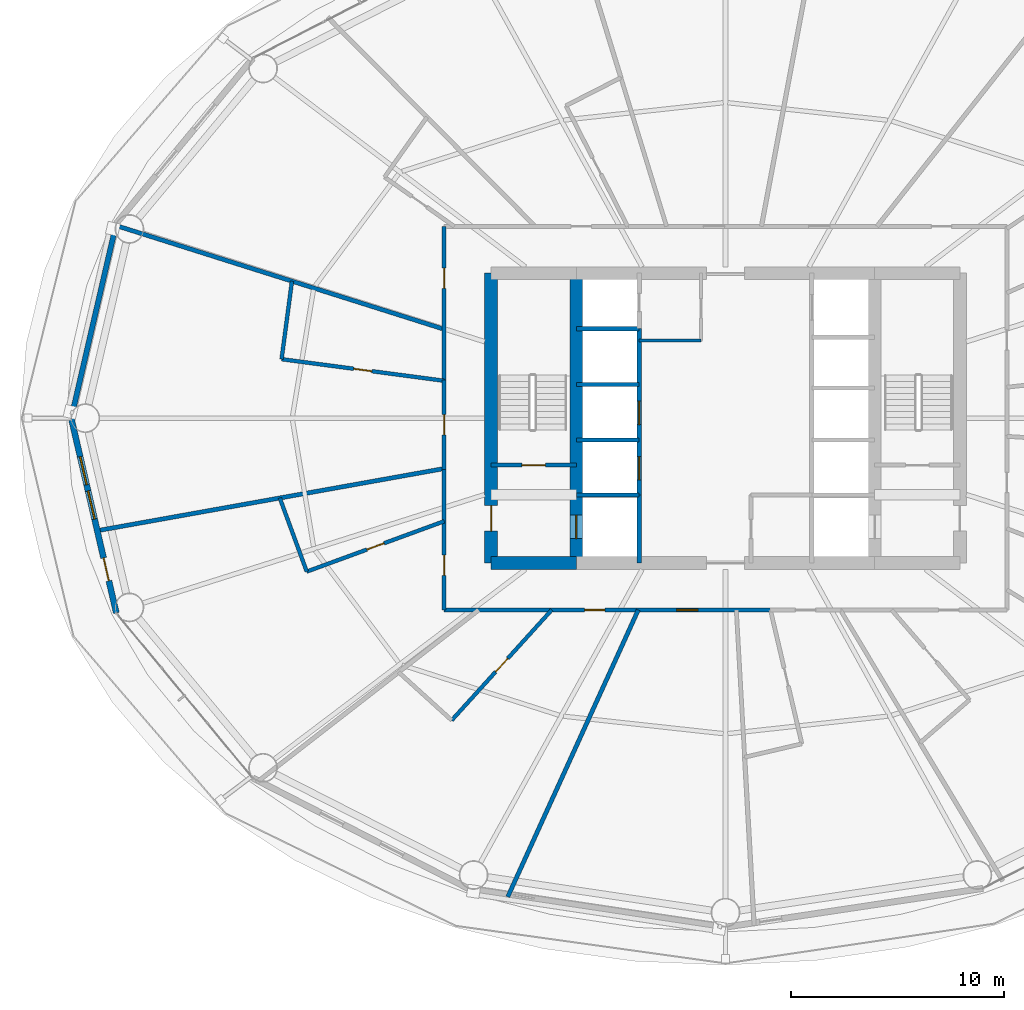
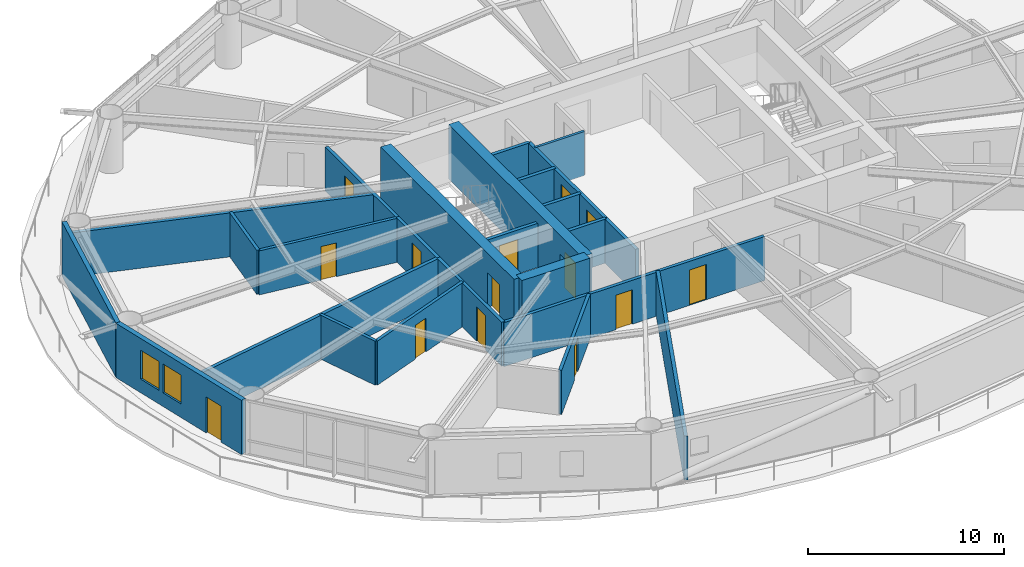
# One storey, part 20 of 26: 25 walls, 14 doors, 2 windows, 16 openings.
"""IFC4 building model written with IfcOpenShell, lengths in metres."""

from ifc_helpers import new_model, si_unit, direction, frame, frame_2d, origin, place, context, subcontext, project, spatial, rectangle, extrude, material, layer, layer_set, type_object, element, fill, save


model = new_model("IFC4")

# Units and contexts
model_context = context("Model", 3, precision=1e-05, world=origin(), true_north=direction((0.0, 1.0)))
body_context = subcontext(model_context, "Body", "Model", "MODEL_VIEW")
ifc_project = project(units=[si_unit("LENGTHUNIT", "METRE"), si_unit("AREAUNIT", "SQUARE_METRE"), si_unit("VOLUMEUNIT", "CUBIC_METRE"), si_unit("PLANEANGLEUNIT", "RADIAN"), si_unit("MASSUNIT", "GRAM", prefix="KILO")], contexts=[model_context])

# Site, building, storey
site_placement = place(None, origin())
site = spatial("IfcSite", under=ifc_project, at=site_placement, CompositionType="ELEMENT")
building_placement = place(site_placement, origin())
building = spatial("IfcBuilding", under=site, at=building_placement, Name="Sarneth Arch Tower", CompositionType="ELEMENT")
storey_placement = place(building_placement, frame((0.0, 0.0, 53.39990234375)))
storey = spatial("IfcBuildingStorey", under=building, at=storey_placement, Name="L12", CompositionType="ELEMENT", Elevation=53.39990234375)

# Wall
ifc_material_1 = material(Name="Concrete C60/75", Category="concrete")
ifc_layer_1 = layer(ifc_material_1, 0.60009765625)
ifc_layer_set_1 = layer_set([ifc_layer_1], Name="Concrete C60/75")
wall_type_1 = type_object("IfcWallType", Name="WALL-CORE-600", PredefinedType="SHEAR", material=ifc_layer_set_1)
wall_1_placement = place(storey_placement, frame((37.0, 35.199951171875, 0.0), z_axis=(0.0, 0.0, 1.0), x_axis=(1.0, 0.0, 0.0)))
element("IfcWall", 1, at=wall_1_placement, inside=storey, type_object=wall_type_1, Name="L12 Core shear wall S-W", PredefinedType="SHEAR", context=body_context, shape_type="SweptSolid", body=[
    extrude(rectangle(XDim=4.0, YDim=0.60009765625, at=frame_2d((2.0, 0.0))), origin(), (0.0, 0.0, 1.0), 3.380126953125),
])

# Wall, opening, door
wall_2_placement = place(storey_placement, frame((37.0, 35.199951171875, 0.0), z_axis=(0.0, 0.0, 1.0), x_axis=(0.0, 1.0, 0.0)))
wall_2 = element("IfcWall", 2, at=wall_2_placement, inside=storey, type_object=wall_type_1, Name="L12 Core shear wall W", PredefinedType="SHEAR", context=body_context, shape_type="SweptSolid", body=[
    extrude(rectangle(XDim=13.60009765625, YDim=0.60009765625, at=frame_2d((6.800048828125, 0.0))), origin(), (0.0, 0.0, 1.0), 3.380126953125),
])
opening_1_placement = place(wall_2_placement, frame((1.5, 0.0, 0.0)))
opening_1 = element("IfcOpeningElement", 3, at=opening_1_placement, cuts=wall_2, Name="Opening FD-02", PredefinedType="OPENING", context=body_context, shape_type="SweptSolid", body=[
    extrude(rectangle(XDim=1.199951171875, YDim=2.14990234375, at=frame_2d((0.60009765625, 1.074951171875))), frame((0.0, 0.31005859375, 0.0), z_axis=(0.0, -1.0, 0.0), x_axis=(1.0, 0.0, 0.0)), (0.0, 0.0, 1.0), 0.6201171875),
])
ifc_material_2 = material(Name="Galvanised Steel S275 fire door set", Category="steel")
door_type_1 = type_object("IfcDoorType", Name="DR-FD90-1200", OperationType="SINGLE_SWING_LEFT", PredefinedType="DOOR", material=ifc_material_2)
door_1_placement = place(opening_1_placement, origin())
door_1 = element("IfcDoor", 4, at=door_1_placement, inside=storey, type_object=door_type_1, Name="L12 Firefighting lobby 1 exit door", OperationType="SINGLE_SWING_LEFT", OverallHeight=2.14990234375, OverallWidth=1.199951171875, PredefinedType="DOOR", context=body_context, shape_type="SweptSolid", body=[
    extrude(rectangle(XDim=1.199951171875, YDim=2.14990234375, at=frame_2d((0.60009765625, 1.074951171875))), frame((0.0, 0.02490234375, 0.0), z_axis=(0.0, -1.0, 0.0), x_axis=(1.0, 0.0, 0.0)), (0.0, 0.0, 1.0), 0.050048828125),
])
fill(opening_1, door_1)

wall_3_placement = place(storey_placement, frame((41.0, 35.199951171875, 0.0), z_axis=(0.0, 0.0, 1.0), x_axis=(0.0, 1.0, 0.0)))
wall_3 = element("IfcWall", 5, at=wall_3_placement, inside=storey, type_object=wall_type_1, Name="L12 Core shear wall WEB-W", PredefinedType="SHEAR", context=body_context, shape_type="SweptSolid", body=[
    extrude(rectangle(XDim=13.60009765625, YDim=0.60009765625, at=frame_2d((6.800048828125, 0.0))), origin(), (0.0, 0.0, 1.0), 3.380126953125),
])
opening_2_placement = place(wall_3_placement, frame((1.14990234375, 0.0, 0.0)))
opening_2 = element("IfcOpeningElement", 6, at=opening_2_placement, cuts=wall_3, Name="Opening LD-1", PredefinedType="OPENING", context=body_context, shape_type="SweptSolid", body=[
    extrude(rectangle(XDim=1.10009765625, YDim=2.199951171875, at=frame_2d((0.550048828125, 1.10009765625))), frame((0.0, 0.31005859375, 0.0), z_axis=(0.0, -1.0, 0.0), x_axis=(1.0, 0.0, 0.0)), (0.0, 0.0, 1.0), 0.6201171875),
])
ifc_material_3 = material(Name="Brushed Stainless Steel 304 lift landing door", Category="steel")
door_type_2 = type_object("IfcDoorType", Name="DR-LIFT-SLIDE-1100", OperationType="SLIDING_TO_LEFT", PredefinedType="DOOR", material=ifc_material_3)
door_2_placement = place(opening_2_placement, origin())
door_2 = element("IfcDoor", 7, at=door_2_placement, inside=storey, type_object=door_type_2, Name="L12 Firefighting lift landing door FL-1", OperationType="SLIDING_TO_LEFT", OverallHeight=2.199951171875, OverallWidth=1.10009765625, PredefinedType="DOOR", context=body_context, shape_type="SweptSolid", body=[
    extrude(rectangle(XDim=1.10009765625, YDim=2.199951171875, at=frame_2d((0.550048828125, 1.10009765625))), frame((0.0, 0.02490234375, 0.0), z_axis=(0.0, -1.0, 0.0), x_axis=(1.0, 0.0, 0.0)), (0.0, 0.0, 1.0), 0.050048828125),
])
fill(opening_2, door_2)

ifc_material_4 = material(Name="Double steel-stud corridor fire wall", Category="steel")
ifc_layer_2 = layer(ifc_material_4, 0.18994140625)
ifc_layer_set_2 = layer_set([ifc_layer_2], Name="Double steel-stud corridor fire wall")
wall_type_2 = type_object("IfcWallType", Name="WALL-CORR-190", PredefinedType="PARTITIONING", material=ifc_layer_set_2)
wall_4_placement = place(storey_placement, frame((34.800048828125, 43.7216796875, 0.0), z_axis=(0.0, 0.0, 1.0), x_axis=(0.0, 1.0, 0.0)))
wall_4 = element("IfcWall", 8, at=wall_4_placement, inside=storey, type_object=wall_type_2, Name="L12 Interior partition W-L12-TP-008", PredefinedType="PARTITIONING", context=body_context, shape_type="SweptSolid", body=[
    extrude(rectangle(XDim=7.2783203125, YDim=0.18994140625, at=frame_2d((3.63916015625, 0.0))), origin(), (0.0, 0.0, 1.0), 2.739990234375),
])
opening_3_placement = place(wall_4_placement, frame((4.372314453125, 0.0, 0.0)))
opening_3 = element("IfcOpeningElement", 9, at=opening_3_placement, cuts=wall_4, Name="Opening FD-09", PredefinedType="OPENING", context=body_context, shape_type="SweptSolid", body=[
    extrude(rectangle(XDim=0.949951171875, YDim=2.14990234375, at=frame_2d((0.47509765625, 1.074951171875))), frame((0.0, 0.10498046875, 0.0), z_axis=(0.0, -1.0, 0.0), x_axis=(1.0, 0.0, 0.0)), (0.0, 0.0, 1.0), 0.2099609375),
])
ifc_material_5 = material(Name="Hardwood timber hotel entrance fire door", Category="wood")
door_type_3 = type_object("IfcDoorType", Name="DR-FD60-950", OperationType="SINGLE_SWING_RIGHT", PredefinedType="DOOR", material=ifc_material_5)
door_3_placement = place(opening_3_placement, origin())
door_3 = element("IfcDoor", 10, at=door_3_placement, inside=storey, type_object=door_type_3, Name="L12 Interior door DR-L12-KEY-05", OperationType="SINGLE_SWING_RIGHT", OverallHeight=2.14990234375, OverallWidth=0.949951171875, PredefinedType="DOOR", context=body_context, shape_type="SweptSolid", body=[
    extrude(rectangle(XDim=0.949951171875, YDim=2.14990234375, at=frame_2d((0.47509765625, 1.074951171875))), frame((0.0, 0.02490234375, 0.0), z_axis=(0.0, -1.0, 0.0), x_axis=(1.0, 0.0, 0.0)), (0.0, 0.0, 1.0), 0.050048828125),
])
fill(opening_3, door_3)

# Wall, openings, doors
wall_5_placement = place(storey_placement, frame((50.143798828125, 33.0, 0.0), z_axis=(0.0, 0.0, 1.0), x_axis=(-1.0, 0.0, 0.0)))
wall_5 = element("IfcWall", 11, at=wall_5_placement, inside=storey, type_object=wall_type_2, Name="L12 Interior partition W-L12-TP-018", PredefinedType="PARTITIONING", context=body_context, shape_type="SweptSolid", body=[
    extrude(rectangle(XDim=15.34375, YDim=0.18994140625, at=frame_2d((7.671875, 0.0))), origin(), (0.0, 0.0, 1.0), 2.739990234375),
])
opening_4_placement = place(wall_5_placement, frame((3.4384765625, 0.0, 0.0)))
opening_4 = element("IfcOpeningElement", 12, at=opening_4_placement, cuts=wall_5, Name="Opening FD-08", PredefinedType="OPENING", context=body_context, shape_type="SweptSolid", body=[
    extrude(rectangle(XDim=1.0, YDim=2.199951171875, at=frame_2d((0.5, 1.10009765625))), frame((0.0, 0.10498046875, 0.0), z_axis=(0.0, -1.0, 0.0), x_axis=(1.0, 0.0, 0.0)), (0.0, 0.0, 1.0), 0.2099609375),
])
opening_5_placement = place(wall_5_placement, frame((7.798095703125, 0.0, 0.0)))
opening_5 = element("IfcOpeningElement", 13, at=opening_5_placement, cuts=wall_5, Name="Opening FD-09", PredefinedType="OPENING", context=body_context, shape_type="SweptSolid", body=[
    extrude(rectangle(XDim=0.949951171875, YDim=2.14990234375, at=frame_2d((0.47509765625, 1.074951171875))), frame((0.0, 0.10498046875, 0.0), z_axis=(0.0, -1.0, 0.0), x_axis=(1.0, 0.0, 0.0)), (0.0, 0.0, 1.0), 0.2099609375),
])
ifc_material_6 = material(Name="Hardwood timber acoustic fire door", Category="wood")
door_type_4 = type_object("IfcDoorType", Name="DR-FD60-1000", OperationType="SINGLE_SWING_LEFT", PredefinedType="DOOR", material=ifc_material_6)
door_4_placement = place(opening_4_placement, origin())
door_4 = element("IfcDoor", 14, at=door_4_placement, inside=storey, type_object=door_type_4, Name="L12 Interior door DR-L12-AMN-09", OperationType="SINGLE_SWING_RIGHT", OverallHeight=2.199951171875, OverallWidth=1.0, PredefinedType="DOOR", context=body_context, shape_type="SweptSolid", body=[
    extrude(rectangle(XDim=1.0, YDim=2.199951171875, at=frame_2d((0.5, 1.10009765625))), frame((0.0, 0.02490234375, 0.0), z_axis=(0.0, -1.0, 0.0), x_axis=(1.0, 0.0, 0.0)), (0.0, 0.0, 1.0), 0.050048828125),
])
fill(opening_4, door_4)
door_5_placement = place(opening_5_placement, origin())
door_5 = element("IfcDoor", 15, at=door_5_placement, inside=storey, type_object=door_type_3, Name="L12 Interior door DR-L12-KEY-08", OperationType="SINGLE_SWING_RIGHT", OverallHeight=2.14990234375, OverallWidth=0.949951171875, PredefinedType="DOOR", context=body_context, shape_type="SweptSolid", body=[
    extrude(rectangle(XDim=0.949951171875, YDim=2.14990234375, at=frame_2d((0.47509765625, 1.074951171875))), frame((0.0, 0.02490234375, 0.0), z_axis=(0.0, -1.0, 0.0), x_axis=(1.0, 0.0, 0.0)), (0.0, 0.0, 1.0), 0.050048828125),
])
fill(opening_5, door_5)

# Wall, opening, door
wall_6_placement = place(storey_placement, frame((34.800048828125, 33.0, 0.0), z_axis=(0.0, 0.0, 1.0), x_axis=(0.0, 1.0, 0.0)))
wall_6 = element("IfcWall", 16, at=wall_6_placement, inside=storey, type_object=wall_type_2, Name="L12 Interior partition W-L12-TP-014", PredefinedType="PARTITIONING", context=body_context, shape_type="SweptSolid", body=[
    extrude(rectangle(XDim=6.66845703125, YDim=0.18994140625, at=frame_2d((3.334228515625, 0.0))), origin(), (0.0, 0.0, 1.0), 2.739990234375),
])
opening_6_placement = place(wall_6_placement, frame((1.623779296875, 0.0, 0.0)))
opening_6 = element("IfcOpeningElement", 17, at=opening_6_placement, cuts=wall_6, Name="Opening FD-09", PredefinedType="OPENING", context=body_context, shape_type="SweptSolid", body=[
    extrude(rectangle(XDim=0.949951171875, YDim=2.14990234375, at=frame_2d((0.47509765625, 1.074951171875))), frame((0.0, 0.10498046875, 0.0), z_axis=(0.0, -1.0, 0.0), x_axis=(1.0, 0.0, 0.0)), (0.0, 0.0, 1.0), 0.2099609375),
])
door_6_placement = place(opening_6_placement, origin())
door_6 = element("IfcDoor", 18, at=door_6_placement, inside=storey, type_object=door_type_3, Name="L12 Interior door DR-L12-KEY-07", OperationType="SINGLE_SWING_LEFT", OverallHeight=2.14990234375, OverallWidth=0.949951171875, PredefinedType="DOOR", context=body_context, shape_type="SweptSolid", body=[
    extrude(rectangle(XDim=0.949951171875, YDim=2.14990234375, at=frame_2d((0.47509765625, 1.074951171875))), frame((0.0, 0.02490234375, 0.0), z_axis=(0.0, -1.0, 0.0), x_axis=(1.0, 0.0, 0.0)), (0.0, 0.0, 1.0), 0.050048828125),
])
fill(opening_6, door_6)

wall_7_placement = place(storey_placement, frame((34.800048828125, 39.603515625, 0.0), z_axis=(0.0, 0.0, 1.0), x_axis=(0.0, 1.0, 0.0)))
wall_7 = element("IfcWall", 19, at=wall_7_placement, inside=storey, type_object=wall_type_2, Name="L12 Interior partition W-L12-TP-011", PredefinedType="PARTITIONING", context=body_context, shape_type="SweptSolid", body=[
    extrude(rectangle(XDim=4.182861328125, YDim=0.18994140625, at=frame_2d((2.09130859375, 0.0))), origin(), (0.0, 0.0, 1.0), 2.739990234375),
])
opening_7_placement = place(wall_7_placement, frame((1.616455078125, 0.0, 0.0)))
opening_7 = element("IfcOpeningElement", 20, at=opening_7_placement, cuts=wall_7, Name="Opening FD-09", PredefinedType="OPENING", context=body_context, shape_type="SweptSolid", body=[
    extrude(rectangle(XDim=0.949951171875, YDim=2.14990234375, at=frame_2d((0.47509765625, 1.074951171875))), frame((0.0, 0.10498046875, 0.0), z_axis=(0.0, -1.0, 0.0), x_axis=(1.0, 0.0, 0.0)), (0.0, 0.0, 1.0), 0.2099609375),
])
door_7_placement = place(opening_7_placement, origin())
door_7 = element("IfcDoor", 21, at=door_7_placement, inside=storey, type_object=door_type_3, Name="L12 Interior door DR-L12-KEY-06", OperationType="SINGLE_SWING_LEFT", OverallHeight=2.14990234375, OverallWidth=0.949951171875, PredefinedType="DOOR", context=body_context, shape_type="SweptSolid", body=[
    extrude(rectangle(XDim=0.949951171875, YDim=2.14990234375, at=frame_2d((0.47509765625, 1.074951171875))), frame((0.0, 0.02490234375, 0.0), z_axis=(0.0, -1.0, 0.0), x_axis=(1.0, 0.0, 0.0)), (0.0, 0.0, 1.0), 0.050048828125),
])
fill(opening_7, door_7)

# Wall
ifc_material_7 = material(Name="Extruded terracotta rainscreen on Concrete C40/50 backing", Category="masonry")
ifc_layer_3 = layer(ifc_material_7, 0.25)
ifc_layer_set_3 = layer_set([ifc_layer_3], Name="Extruded terracotta rainscreen on Concrete C40/50 backing")
wall_type_3 = type_object("IfcWallType", Name="WALL-EXT-SPAND-250", PredefinedType="SOLIDWALL", material=ifc_layer_set_3)
wall_8_placement = place(storey_placement, frame((19.4189453125, 51.138427734375, 0.0), z_axis=(0.0, 0.0, 1.0), x_axis=(-0.225454452941, -0.974253709076, 0.0)))
element("IfcWall", 22, at=wall_8_placement, inside=storey, type_object=wall_type_3, Name="L12 Terracotta perimeter wall 08", PredefinedType="SOLIDWALL", context=body_context, shape_type="SweptSolid", body=[
    extrude(rectangle(XDim=9.3798828125, YDim=0.25, at=frame_2d((4.68994140625, 0.0))), origin(), (0.0, 0.0, 1.0), 3.380126953125),
])

# Wall, openings, door, windows
ifc_material_8 = material(Name="Extruded terracotta rainscreen on Concrete C40/50 backing", Category="masonry")
ifc_layer_4 = layer(ifc_material_8, 0.280029296875)
ifc_layer_set_4 = layer_set([ifc_layer_4], Name="Extruded terracotta rainscreen on Concrete C40/50 backing")
wall_type_4 = type_object("IfcWallType", Name="WALL-EXT-TERRA-280", PredefinedType="SOLIDWALL", material=ifc_layer_set_4)
wall_9_placement = place(storey_placement, frame((17.30419921875, 42.0, 0.0), z_axis=(0.0, 0.0, 1.0), x_axis=(0.225454452941, -0.974253709076, 0.0)))
wall_9 = element("IfcWall", 23, at=wall_9_placement, inside=storey, type_object=wall_type_4, Name="L12 Terracotta perimeter wall 09", PredefinedType="SOLIDWALL", context=body_context, shape_type="SweptSolid", body=[
    extrude(rectangle(XDim=9.3798828125, YDim=0.280029296875, at=frame_2d((4.68994140625, 0.0))), origin(), (0.0, 0.0, 1.0), 3.380126953125),
])
opening_8_placement = place(wall_9_placement, frame((1.853515625, 0.0, 0.85009765625)))
opening_8 = element("IfcOpeningElement", 24, at=opening_8_placement, cuts=wall_9, Name="Opening W-08", PredefinedType="OPENING", context=body_context, shape_type="SweptSolid", body=[
    extrude(rectangle(XDim=1.35009765625, YDim=1.800048828125, at=frame_2d((0.675048828125, 0.89990234375))), frame((0.0, 0.14990234375, 0.0), z_axis=(0.0, -1.0, 0.0), x_axis=(1.0, 0.0, 0.0)), (0.0, 0.0, 1.0), 0.300048828125),
])
opening_9_placement = place(wall_9_placement, frame((3.5078125, 0.0, 0.85009765625)))
opening_9 = element("IfcOpeningElement", 25, at=opening_9_placement, cuts=wall_9, Name="Opening W-08", PredefinedType="OPENING", context=body_context, shape_type="SweptSolid", body=[
    extrude(rectangle(XDim=1.35009765625, YDim=1.800048828125, at=frame_2d((0.675048828125, 0.89990234375))), frame((0.0, 0.14990234375, 0.0), z_axis=(0.0, -1.0, 0.0), x_axis=(1.0, 0.0, 0.0)), (0.0, 0.0, 1.0), 0.300048828125),
])
opening_10_placement = place(wall_9_placement, frame((6.735107421875, 0.0, 0.0)))
opening_10 = element("IfcOpeningElement", 26, at=opening_10_placement, cuts=wall_9, Name="Opening BD-3", PredefinedType="OPENING", context=body_context, shape_type="SweptSolid", body=[
    extrude(rectangle(XDim=1.10009765625, YDim=2.25, at=frame_2d((0.550048828125, 1.125))), frame((0.0, 0.14990234375, 0.0), z_axis=(0.0, -1.0, 0.0), x_axis=(1.0, 0.0, 0.0)), (0.0, 0.0, 1.0), 0.300048828125),
])
ifc_material_9 = material(Name="Thermally broken Aluminium 6063-T6 and laminated safety glass", Category="aluminium")
door_type_5 = type_object("IfcDoorType", Name="DR-BALC-GLZ-1100", OperationType="SINGLE_SWING_LEFT", PredefinedType="DOOR", material=ifc_material_9)
door_8_placement = place(opening_10_placement, origin())
door_8 = element("IfcDoor", 27, at=door_8_placement, inside=storey, type_object=door_type_5, Name="L12 Balcony glazed door 09", OperationType="SINGLE_SWING_LEFT", OverallHeight=2.25, OverallWidth=1.10009765625, PredefinedType="DOOR", context=body_context, shape_type="SweptSolid", body=[
    extrude(rectangle(XDim=1.10009765625, YDim=2.25, at=frame_2d((0.550048828125, 1.125))), frame((0.0, 0.02490234375, 0.0), z_axis=(0.0, -1.0, 0.0), x_axis=(1.0, 0.0, 0.0)), (0.0, 0.0, 1.0), 0.050048828125),
])
fill(opening_10, door_8)
ifc_material_10 = material(Name="Thermally broken Aluminium 6063-T6 and low-e laminated IGU", Category="aluminium")
window_type = type_object("IfcWindowType", Name="WIN-TWR-1350x1800", PartitioningType="SINGLE_PANEL", PredefinedType="WINDOW", material=ifc_material_10)
window_1_placement = place(opening_8_placement, origin())
window_1 = element("IfcWindow", 28, at=window_1_placement, inside=storey, type_object=window_type, Name="L12 Exterior window 09A", OverallHeight=1.800048828125, OverallWidth=1.35009765625, PartitioningType="SINGLE_PANEL", PredefinedType="WINDOW", context=body_context, shape_type="SweptSolid", body=[
    extrude(rectangle(XDim=1.35009765625, YDim=1.800048828125, at=frame_2d((0.675048828125, 0.89990234375))), frame((0.0, 0.030029296875, 0.0), z_axis=(0.0, -1.0, 0.0), x_axis=(1.0, 0.0, 0.0)), (0.0, 0.0, 1.0), 0.06005859375),
])
fill(opening_8, window_1)
window_2_placement = place(opening_9_placement, origin())
window_2 = element("IfcWindow", 29, at=window_2_placement, inside=storey, type_object=window_type, Name="L12 Exterior window 09B", OverallHeight=1.800048828125, OverallWidth=1.35009765625, PartitioningType="SINGLE_PANEL", PredefinedType="WINDOW", context=body_context, shape_type="SweptSolid", body=[
    extrude(rectangle(XDim=1.35009765625, YDim=1.800048828125, at=frame_2d((0.675048828125, 0.89990234375))), frame((0.0, 0.030029296875, 0.0), z_axis=(0.0, -1.0, 0.0), x_axis=(1.0, 0.0, 0.0)), (0.0, 0.0, 1.0), 0.06005859375),
])
fill(opening_9, window_2)

# Wall
ifc_material_11 = material(Name="Acoustic gypsum stud partition", Category="gypsum")
ifc_layer_5 = layer(ifc_material_11, 0.14990234375)
ifc_layer_set_5 = layer_set([ifc_layer_5], Name="Acoustic gypsum stud partition")
wall_type_5 = type_object("IfcWallType", Name="WALL-PART-150", PredefinedType="PARTITIONING", material=ifc_layer_set_5)
wall_10_placement = place(storey_placement, frame((43.949951171875, 45.64990234375, 0.0), z_axis=(0.0, 0.0, 1.0), x_axis=(1.0, 0.0, 0.0)))
element("IfcWall", 30, at=wall_10_placement, inside=storey, type_object=wall_type_5, Name="L12 Interior partition W-L12-CSUP1-S", PredefinedType="PARTITIONING", context=body_context, shape_type="SweptSolid", body=[
    extrude(rectangle(XDim=2.900146484375, YDim=0.14990234375, at=frame_2d((1.4501953125, 0.0))), origin(), (0.0, 0.0, 1.0), 2.739990234375),
])

# Wall, opening, door
ifc_material_12 = material(Name="Moisture-resistant plumbing chase wall", Category="gypsum")
ifc_layer_6 = layer(ifc_material_12, 0.179931640625)
ifc_layer_set_6 = layer_set([ifc_layer_6], Name="Moisture-resistant plumbing chase wall")
wall_type_6 = type_object("IfcWallType", Name="WALL-PLUMB-180", PredefinedType="PLUMBINGWALL", material=ifc_layer_set_6)
wall_11_placement = place(storey_placement, frame((27.173095703125, 44.767578125, 0.0), z_axis=(0.0, 0.0, 1.0), x_axis=(0.991283239225, -0.131748015661, 0.0)))
wall_11 = element("IfcWall", 31, at=wall_11_placement, inside=storey, type_object=wall_type_6, Name="L12 Interior partition W-L12-TP-045", PredefinedType="PLUMBINGWALL", context=body_context, shape_type="SweptSolid", body=[
    extrude(rectangle(XDim=7.694091796875, YDim=0.179931640625, at=frame_2d((3.84716796875, 0.0))), origin(), (0.0, 0.0, 1.0), 2.739990234375),
])
opening_11_placement = place(wall_11_placement, frame((3.421875, 0.0, 0.0)))
opening_11 = element("IfcOpeningElement", 32, at=opening_11_placement, cuts=wall_11, Name="Opening ID-02", PredefinedType="OPENING", context=body_context, shape_type="SweptSolid", body=[
    extrude(rectangle(XDim=0.85009765625, YDim=2.10009765625, at=frame_2d((0.425048828125, 1.050048828125))), frame((0.0, 0.099853515625, 0.0), z_axis=(0.0, -1.0, 0.0), x_axis=(1.0, 0.0, 0.0)), (0.0, 0.0, 1.0), 0.199951171875),
])
ifc_material_13 = material(Name="Moisture-resistant bathroom timber door", Category="wood")
door_type_6 = type_object("IfcDoorType", Name="DR-INT-850", OperationType="SINGLE_SWING_RIGHT", PredefinedType="DOOR", material=ifc_material_13)
door_9_placement = place(opening_11_placement, origin())
door_9 = element("IfcDoor", 33, at=door_9_placement, inside=storey, type_object=door_type_6, Name="L12 Interior door DR-L12-ENS-06", OperationType="SINGLE_SWING_RIGHT", OverallHeight=2.10009765625, OverallWidth=0.85009765625, PredefinedType="DOOR", context=body_context, shape_type="SweptSolid", body=[
    extrude(rectangle(XDim=0.85009765625, YDim=2.10009765625, at=frame_2d((0.425048828125, 1.050048828125))), frame((0.0, 0.02490234375, 0.0), z_axis=(0.0, -1.0, 0.0), x_axis=(1.0, 0.0, 0.0)), (0.0, 0.0, 1.0), 0.050048828125),
])
fill(opening_11, door_9)

wall_12_placement = place(storey_placement, frame((35.15478515625, 27.826171875, 0.0), z_axis=(0.0, 0.0, 1.0), x_axis=(0.671533822983, 0.740973902773, 0.0)))
wall_12 = element("IfcWall", 34, at=wall_12_placement, inside=storey, type_object=wall_type_6, Name="L12 Interior partition W-L12-TP-053", PredefinedType="PLUMBINGWALL", context=body_context, shape_type="SweptSolid", body=[
    extrude(rectangle(XDim=6.982421875, YDim=0.179931640625, at=frame_2d((3.4912109375, 0.0))), origin(), (0.0, 0.0, 1.0), 2.739990234375),
])
opening_12_placement = place(wall_12_placement, frame((3.066162109375, 0.0, 0.0)))
opening_12 = element("IfcOpeningElement", 35, at=opening_12_placement, cuts=wall_12, Name="Opening ID-02", PredefinedType="OPENING", context=body_context, shape_type="SweptSolid", body=[
    extrude(rectangle(XDim=0.85009765625, YDim=2.10009765625, at=frame_2d((0.425048828125, 1.050048828125))), frame((0.0, 0.099853515625, 0.0), z_axis=(0.0, -1.0, 0.0), x_axis=(1.0, 0.0, 0.0)), (0.0, 0.0, 1.0), 0.199951171875),
])
door_10_placement = place(opening_12_placement, origin())
door_10 = element("IfcDoor", 36, at=door_10_placement, inside=storey, type_object=door_type_6, Name="L12 Interior door DR-L12-ENS-08", OperationType="SINGLE_SWING_RIGHT", OverallHeight=2.10009765625, OverallWidth=0.85009765625, PredefinedType="DOOR", context=body_context, shape_type="SweptSolid", body=[
    extrude(rectangle(XDim=0.85009765625, YDim=2.10009765625, at=frame_2d((0.425048828125, 1.050048828125))), frame((0.0, 0.02490234375, 0.0), z_axis=(0.0, -1.0, 0.0), x_axis=(1.0, 0.0, 0.0)), (0.0, 0.0, 1.0), 0.050048828125),
])
fill(opening_12, door_10)

wall_13_placement = place(storey_placement, frame((28.354248046875, 34.8017578125, 0.0), z_axis=(0.0, 0.0, 1.0), x_axis=(0.938953689431, 0.344043556986, 0.0)))
wall_13 = element("IfcWall", 37, at=wall_13_placement, inside=storey, type_object=wall_type_6, Name="L12 Interior partition W-L12-TP-049", PredefinedType="PLUMBINGWALL", context=body_context, shape_type="SweptSolid", body=[
    extrude(rectangle(XDim=6.864990234375, YDim=0.179931640625, at=frame_2d((3.4326171875, 0.0))), origin(), (0.0, 0.0, 1.0), 2.739990234375),
])
opening_13_placement = place(wall_13_placement, frame((3.00732421875, 0.0, 0.0)))
opening_13 = element("IfcOpeningElement", 38, at=opening_13_placement, cuts=wall_13, Name="Opening ID-02", PredefinedType="OPENING", context=body_context, shape_type="SweptSolid", body=[
    extrude(rectangle(XDim=0.85009765625, YDim=2.10009765625, at=frame_2d((0.425048828125, 1.050048828125))), frame((0.0, 0.099853515625, 0.0), z_axis=(0.0, -1.0, 0.0), x_axis=(1.0, 0.0, 0.0)), (0.0, 0.0, 1.0), 0.199951171875),
])
door_11_placement = place(opening_13_placement, origin())
door_11 = element("IfcDoor", 39, at=door_11_placement, inside=storey, type_object=door_type_6, Name="L12 Interior door DR-L12-ENS-07", OperationType="SINGLE_SWING_RIGHT", OverallHeight=2.10009765625, OverallWidth=0.85009765625, PredefinedType="DOOR", context=body_context, shape_type="SweptSolid", body=[
    extrude(rectangle(XDim=0.85009765625, YDim=2.10009765625, at=frame_2d((0.425048828125, 1.050048828125))), frame((0.0, 0.02490234375, 0.0), z_axis=(0.0, -1.0, 0.0), x_axis=(1.0, 0.0, 0.0)), (0.0, 0.0, 1.0), 0.050048828125),
])
fill(opening_13, door_11)

# Walls
wall_14_placement = place(storey_placement, frame((27.65966796875, 48.42822265625, 0.0), z_axis=(0.0, 0.0, 1.0), x_axis=(-0.131760975246, -0.991281516726, 0.0)))
element("IfcWall", 40, at=wall_14_placement, inside=storey, type_object=wall_type_6, Name="L12 Interior partition W-L12-TP-044", PredefinedType="PLUMBINGWALL", context=body_context, shape_type="SweptSolid", body=[
    extrude(rectangle(XDim=3.69287109375, YDim=0.179931640625, at=frame_2d((1.846435546875, 0.0))), origin(), (0.0, 0.0, 1.0), 2.739990234375),
])
wall_15_placement = place(storey_placement, frame((27.089111328125, 38.2548828125, 0.0), z_axis=(0.0, 0.0, 1.0), x_axis=(0.344012760863, -0.938964972916, 0.0)))
element("IfcWall", 41, at=wall_15_placement, inside=storey, type_object=wall_type_6, Name="L12 Interior partition W-L12-TP-048", PredefinedType="PLUMBINGWALL", context=body_context, shape_type="SweptSolid", body=[
    extrude(rectangle(XDim=3.677490234375, YDim=0.179931640625, at=frame_2d((1.8388671875, 0.0))), origin(), (0.0, 0.0, 1.0), 2.739990234375),
])

# Wall, opening, door
ifc_material_14 = material(Name="Aerated concrete blockwork C25/30", Category="masonry")
ifc_layer_7 = layer(ifc_material_14, 0.199951171875)
ifc_layer_set_7 = layer_set([ifc_layer_7], Name="Aerated concrete blockwork C25/30")
wall_type_7 = type_object("IfcWallType", Name="WALL-SHAFT-200", PredefinedType="SOLIDWALL", material=ifc_layer_set_7)
wall_16_placement = place(storey_placement, frame((37.0, 39.800048828125, 0.0), z_axis=(0.0, 0.0, 1.0), x_axis=(1.0, 0.0, 0.0)))
wall_16 = element("IfcWall", 42, at=wall_16_placement, inside=storey, type_object=wall_type_7, Name="L12 Interior partition W-L12-ST1-S", PredefinedType="SOLIDWALL", context=body_context, shape_type="SweptSolid", body=[
    extrude(rectangle(XDim=4.0, YDim=0.199951171875, at=frame_2d((2.0, 0.0))), origin(), (0.0, 0.0, 1.0), 2.739990234375),
])
opening_14_placement = place(wall_16_placement, frame((1.449951171875, 0.0, 0.0)))
opening_14 = element("IfcOpeningElement", 43, at=opening_14_placement, cuts=wall_16, Name="Opening FD-03", PredefinedType="OPENING", context=body_context, shape_type="SweptSolid", body=[
    extrude(rectangle(XDim=1.10009765625, YDim=2.14990234375, at=frame_2d((0.550048828125, 1.074951171875))), frame((0.0, 0.10986328125, 0.0), z_axis=(0.0, -1.0, 0.0), x_axis=(1.0, 0.0, 0.0)), (0.0, 0.0, 1.0), 0.219970703125),
])
ifc_material_15 = material(Name="Galvanised Steel S275 fire door set", Category="steel")
door_type_7 = type_object("IfcDoorType", Name="DR-FD90-1100", OperationType="SINGLE_SWING_LEFT", PredefinedType="DOOR", material=ifc_material_15)
door_12_placement = place(opening_14_placement, origin())
door_12 = element("IfcDoor", 44, at=door_12_placement, inside=storey, type_object=door_type_7, Name="L12 Interior door DR-L12-ST1", OperationType="SINGLE_SWING_LEFT", OverallHeight=2.14990234375, OverallWidth=1.10009765625, PredefinedType="DOOR", context=body_context, shape_type="SweptSolid", body=[
    extrude(rectangle(XDim=1.10009765625, YDim=2.14990234375, at=frame_2d((0.550048828125, 1.074951171875))), frame((0.0, 0.02490234375, 0.0), z_axis=(0.0, -1.0, 0.0), x_axis=(1.0, 0.0, 0.0)), (0.0, 0.0, 1.0), 0.050048828125),
])
fill(opening_14, door_12)

# Walls
wall_17_placement = place(storey_placement, frame((43.949951171875, 35.199951171875, 0.0), z_axis=(0.0, 0.0, 1.0), x_axis=(0.0, 1.0, 0.0)))
element("IfcWall", 45, at=wall_17_placement, inside=storey, type_object=wall_type_7, Name="L12 Interior partition W-L12-FL1-E", PredefinedType="SOLIDWALL", context=body_context, shape_type="SweptSolid", body=[
    extrude(rectangle(XDim=3.199951171875, YDim=0.199951171875, at=frame_2d((1.60009765625, 0.0))), origin(), (0.0, 0.0, 1.0), 2.739990234375),
])
for number, where, z_axis, x_axis, name in (
    (46, (41.0, 38.39990234375, 0.0), (0.0, 0.0, 1.0), (1.0, 0.0, 0.0), "L12 Interior partition W-L12-FL1-N"),
    (47, (41.0, 46.199951171875, 0.0), (0.0, 0.0, 1.0), (1.0, 0.0, 0.0), "L12 Interior partition W-L12-RISER-S"),
):
    element("IfcWall", number, at=place(storey_placement, frame(where, z_axis=z_axis, x_axis=x_axis)), inside=storey, type_object=wall_type_7, Name=name, PredefinedType="SOLIDWALL", context=body_context, shape_type="SweptSolid", body=[
        extrude(rectangle(XDim=2.949951171875, YDim=0.199951171875, at=frame_2d((1.47509765625, 0.0))), origin(), (0.0, 0.0, 1.0), 2.739990234375),
    ])

# Wall, openings, doors
wall_18_placement = place(storey_placement, frame((43.949951171875, 38.39990234375, 0.0), z_axis=(0.0, 0.0, 1.0), x_axis=(0.0, 1.0, 0.0)))
wall_18 = element("IfcWall", 48, at=wall_18_placement, inside=storey, type_object=wall_type_7, Name="L12 Interior partition W-L12-WESTBANK-FRONT", PredefinedType="SOLIDWALL", context=body_context, shape_type="SweptSolid", body=[
    extrude(rectangle(XDim=7.800048828125, YDim=0.199951171875, at=frame_2d((3.89990234375, 0.0))), origin(), (0.0, 0.0, 1.0), 2.739990234375),
])
opening_15_placement = place(wall_18_placement, frame((0.699951171875, 0.0, 0.0)))
opening_15 = element("IfcOpeningElement", 49, at=opening_15_placement, cuts=wall_18, Name="Opening LD-1", PredefinedType="OPENING", context=body_context, shape_type="SweptSolid", body=[
    extrude(rectangle(XDim=1.10009765625, YDim=2.199951171875, at=frame_2d((0.550048828125, 1.10009765625))), frame((0.0, 0.10986328125, 0.0), z_axis=(0.0, -1.0, 0.0), x_axis=(1.0, 0.0, 0.0)), (0.0, 0.0, 1.0), 0.219970703125),
])
opening_16_placement = place(wall_18_placement, frame((3.300048828125, 0.0, 0.0)))
opening_16 = element("IfcOpeningElement", 50, at=opening_16_placement, cuts=wall_18, Name="Opening LD-1", PredefinedType="OPENING", context=body_context, shape_type="SweptSolid", body=[
    extrude(rectangle(XDim=1.10009765625, YDim=2.199951171875, at=frame_2d((0.550048828125, 1.10009765625))), frame((0.0, 0.10986328125, 0.0), z_axis=(0.0, -1.0, 0.0), x_axis=(1.0, 0.0, 0.0)), (0.0, 0.0, 1.0), 0.219970703125),
])
door_13_placement = place(opening_15_placement, origin())
door_13 = element("IfcDoor", 51, at=door_13_placement, inside=storey, type_object=door_type_2, Name="L12 Lift landing door DR-L12-LD-PL1", OperationType="SLIDING_TO_LEFT", OverallHeight=2.199951171875, OverallWidth=1.10009765625, PredefinedType="DOOR", context=body_context, shape_type="SweptSolid", body=[
    extrude(rectangle(XDim=1.10009765625, YDim=2.199951171875, at=frame_2d((0.550048828125, 1.10009765625))), frame((0.0, 0.02490234375, 0.0), z_axis=(0.0, -1.0, 0.0), x_axis=(1.0, 0.0, 0.0)), (0.0, 0.0, 1.0), 0.050048828125),
])
fill(opening_15, door_13)
door_14_placement = place(opening_16_placement, origin())
door_14 = element("IfcDoor", 52, at=door_14_placement, inside=storey, type_object=door_type_2, Name="L12 Lift landing door DR-L12-LD-PL2", OperationType="SLIDING_TO_RIGHT", OverallHeight=2.199951171875, OverallWidth=1.10009765625, PredefinedType="DOOR", context=body_context, shape_type="SweptSolid", body=[
    extrude(rectangle(XDim=1.10009765625, YDim=2.199951171875, at=frame_2d((0.550048828125, 1.10009765625))), frame((0.0, 0.02490234375, 0.0), z_axis=(0.0, -1.0, 0.0), x_axis=(1.0, 0.0, 0.0)), (0.0, 0.0, 1.0), 0.050048828125),
])
fill(opening_16, door_14)

# Walls
for number, where, z_axis, x_axis, name in (
    (53, (41.0, 40.97998046875, 0.0), (0.0, 0.0, 1.0), (1.0, 0.0, 0.0), "L12 Interior partition W-L12-WB-DIV-4098"),
    (54, (41.0, 43.580078125, 0.0), (0.0, 0.0, 1.0), (1.0, 0.0, 0.0), "L12 Interior partition W-L12-WB-DIV-4358"),
):
    element("IfcWall", number, at=place(storey_placement, frame(where, z_axis=z_axis, x_axis=x_axis)), inside=storey, type_object=wall_type_7, Name=name, PredefinedType="SOLIDWALL", context=body_context, shape_type="SweptSolid", body=[
        extrude(rectangle(XDim=2.949951171875, YDim=0.199951171875, at=frame_2d((1.47509765625, 0.0))), origin(), (0.0, 0.0, 1.0), 2.739990234375),
    ])
ifc_material_16 = material(Name="Double steel-stud acoustic drywall", Category="steel")
ifc_layer_8 = layer(ifc_material_16, 0.199951171875)
ifc_layer_set_8 = layer_set([ifc_layer_8], Name="Double steel-stud acoustic drywall")
wall_type_8 = type_object("IfcWallType", Name="WALL-UNIT-200", PredefinedType="PARTITIONING", material=ifc_layer_set_8)
wall_19_placement = place(storey_placement, frame((37.782958984375, 19.541015625, 0.0), z_axis=(0.0, 0.0, 1.0), x_axis=(0.414087801136, 0.910236943301, 0.0)))
element("IfcWall", 55, at=wall_19_placement, inside=storey, type_object=wall_type_8, Name="L12 Interior partition W-L12-TP-054", PredefinedType="PARTITIONING", context=body_context, shape_type="SweptSolid", body=[
    extrude(rectangle(XDim=14.7861328125, YDim=0.199951171875, at=frame_2d((7.39306640625, 0.0))), origin(), (0.0, 0.0, 1.0), 2.739990234375),
])
wall_20_placement = place(storey_placement, frame((34.800048828125, 39.635986328125, 0.0), z_axis=(0.0, 0.0, 1.0), x_axis=(-0.984338200058, -0.176290407871, 0.0)))
element("IfcWall", 56, at=wall_20_placement, inside=storey, type_object=wall_type_8, Name="L12 Interior partition W-L12-TP-046", PredefinedType="PARTITIONING", context=body_context, shape_type="SweptSolid", body=[
    extrude(rectangle(XDim=16.653076171875, YDim=0.199951171875, at=frame_2d((8.32666015625, 0.0))), origin(), (0.0, 0.0, 1.0), 2.739990234375),
])
wall_21_placement = place(storey_placement, frame((34.800048828125, 46.171630859375, 0.0), z_axis=(0.0, 0.0, 1.0), x_axis=(-0.953511676516, 0.301356073023, 0.0)))
element("IfcWall", 57, at=wall_21_placement, inside=storey, type_object=wall_type_8, Name="L12 Interior partition W-L12-TP-042", PredefinedType="PARTITIONING", context=body_context, shape_type="SweptSolid", body=[
    extrude(rectangle(XDim=16.27490234375, YDim=0.199951171875, at=frame_2d((8.137451171875, 0.0))), origin(), (0.0, 0.0, 1.0), 2.739990234375),
])

save(model, "model.ifc")
